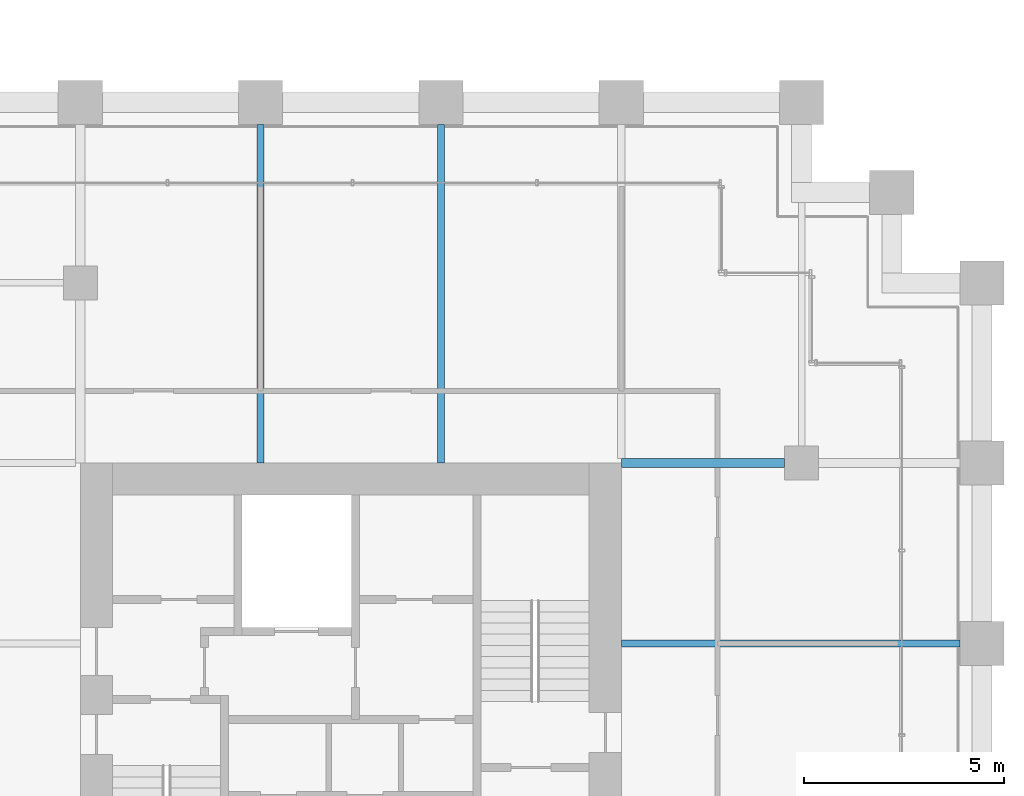
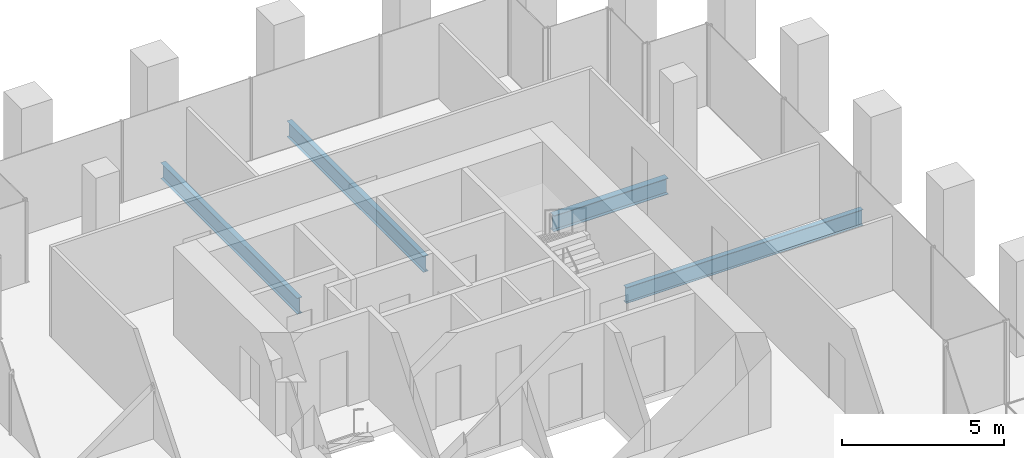
# One storey, part 43 of 54: 4 beams.
"""IFC4 building model written with IfcOpenShell, lengths in metres."""

import ifcopenshell
import ifcopenshell.guid

model = None  # the IFC model being written
_history = None  # IfcOwnerHistory: only IFC2X3 demands one
_inside = {}  # id of a spatial element -> (the spatial element, [elements in it])
_under = {}  # id of a project, library or spatial element -> (it, [spatial elements below it])
_declared = {}  # id of a project -> (the project, [libraries it declares])
_typed = {}  # id of a type object -> (the type object, [elements of that type])
_made_of = {}  # id of a material, layer set ... -> (it, [elements and type objects made of it])


def new_model(schema):
    """Start an empty IFC model of exactly this schema.

    Asked for "IFC4X3", IfcOpenShell would pick the latest addendum, in which some entities
    have other attributes; the version numbers below select the first issue.
    IFC2X3 requires an IfcOwnerHistory on every rooted entity: one is made here for all.
    """
    global model, _history
    if schema == "IFC4X3":
        model = ifcopenshell.file(schema_version=(4, 3, 0, 0))
    else:
        model = ifcopenshell.file(schema=schema)
    _inside.clear()
    _under.clear()
    _declared.clear()
    _typed.clear()
    _made_of.clear()
    _history = None
    if model.schema == "IFC2X3":
        org = make("IfcOrganization", Name="unknown")
        user = make(
            "IfcPersonAndOrganization",
            ThePerson=make("IfcPerson", FamilyName="unknown"),
            TheOrganization=org,
        )
        app = make(
            "IfcApplication",
            ApplicationDeveloper=org,
            Version="unknown",
            ApplicationFullName="unknown",
            ApplicationIdentifier="unknown",
        )
        _history = make(
            "IfcOwnerHistory",
            OwningUser=user,
            OwningApplication=app,
            ChangeAction="ADDED",
            CreationDate=0,
        )
    return model


def make(cls, **values):
    """One entity of the class cls with the attributes given. An attribute that is None is left unset."""
    return model.create_entity(
        cls, **{name: value for name, value in values.items() if value is not None}
    )


def rooted(cls, **values):
    """An entity with a GlobalId (a new one), such as an element, a storey or a relation."""
    return make(cls, GlobalId=ifcopenshell.guid.new(), OwnerHistory=_history, **values)


def si_unit(unit_type, name, prefix=None):
    """IfcSIUnit, for example si_unit("LENGTHUNIT", "METRE", prefix="MILLI")."""
    return make("IfcSIUnit", UnitType=unit_type, Prefix=prefix, Name=name)


def assignment(units):
    """IfcUnitAssignment: the units of a project."""
    return None if units is None else make("IfcUnitAssignment", Units=units)


def point(xyz):
    """IfcCartesianPoint."""
    return None if xyz is None else make("IfcCartesianPoint", Coordinates=xyz)


def direction(xyz):
    """IfcDirection."""
    return None if xyz is None else make("IfcDirection", DirectionRatios=xyz)


def frame(location, z_axis=None, x_axis=None):
    """IfcAxis2Placement3D, a coordinate frame: its origin and axes. An axis left out is left unset."""
    return make(
        "IfcAxis2Placement3D",
        Location=point(location),
        Axis=direction(z_axis),
        RefDirection=direction(x_axis),
    )


def frame_2d(location, x_axis=None):
    """IfcAxis2Placement2D, a coordinate frame in the plane: its origin and x axis."""
    return make(
        "IfcAxis2Placement2D", Location=point(location), RefDirection=direction(x_axis)
    )


def origin():
    """The frame at (0, 0, 0) with its axes left unset."""
    return frame((0.0, 0.0, 0.0))


def origin_2d():
    """The frame at (0, 0) in the plane with its x axis left unset."""
    return frame_2d((0.0, 0.0))


def place(relative_to, where):
    """IfcLocalPlacement: puts the frame where relative to a parent placement (None: the world)."""
    return make(
        "IfcLocalPlacement", PlacementRelTo=relative_to, RelativePlacement=where
    )


def context(
    kind, dimensions, precision=None, world=None, true_north=None, identifier=None
):
    """IfcGeometricRepresentationContext, for example the 3D "Model" context."""
    return make(
        "IfcGeometricRepresentationContext",
        ContextIdentifier=identifier,
        ContextType=kind,
        CoordinateSpaceDimension=dimensions,
        Precision=precision,
        WorldCoordinateSystem=world,
        TrueNorth=true_north,
    )


def subcontext(parent, identifier, kind, view, scale=None):
    """IfcGeometricRepresentationSubContext, for example "Body" below "Model"."""
    return make(
        "IfcGeometricRepresentationSubContext",
        ContextIdentifier=identifier,
        ContextType=kind,
        ParentContext=parent,
        TargetScale=scale,
        TargetView=view,
    )


def project(units=None, contexts=None):
    """IfcProject with its units and contexts."""
    return rooted(
        "IfcProject",
        Name="project",
        RepresentationContexts=contexts,
        UnitsInContext=assignment(units),
    )


def spatial(cls, under=None, at=None, **own):
    """A site, building, storey or space (cls), placed at a placement, below another one or the project."""
    s = rooted(cls, ObjectPlacement=at, **own)
    if under is not None:
        _under.setdefault(under.id(), (under, []))[1].append(s)
    return s


def profile(cls, at=None, kind="AREA", **sizes):
    """A parametric profile (cls). Its sizes go by their IFC names, for example OverallWidth=200.0."""
    return make(cls, ProfileType=kind, Position=at, **sizes)


def i_section(**sizes):
    """IfcIShapeProfileDef."""
    return profile("IfcIShapeProfileDef", **sizes)


def extrude(swept, where, along, depth):
    """IfcExtrudedAreaSolid: the profile swept, set in the frame where, extruded along a direction by depth."""
    return make(
        "IfcExtrudedAreaSolid",
        SweptArea=swept,
        Position=where,
        ExtrudedDirection=direction(along),
        Depth=depth,
    )


def shape(context_of_items, identifier, shape_type, items):
    """IfcShapeRepresentation: the items that make up one representation, for example the "Body"."""
    return make(
        "IfcShapeRepresentation",
        ContextOfItems=context_of_items,
        RepresentationIdentifier=identifier,
        RepresentationType=shape_type,
        Items=items,
    )


def material(Name=None, Category=None):
    """IfcMaterial."""
    return make("IfcMaterial", Name=Name, Category=Category)


def material_profile(
    of_material, cross_section, Name=None, Category=None, Priority=None
):
    """IfcMaterialProfile: a cross section and its material."""
    return make(
        "IfcMaterialProfile",
        Name=Name,
        Material=of_material,
        Profile=cross_section,
        Priority=Priority,
        Category=Category,
    )


def profile_set(profiles, Name=None, composite=None):
    """IfcMaterialProfileSet."""
    return make(
        "IfcMaterialProfileSet",
        Name=Name,
        MaterialProfiles=profiles,
        CompositeProfile=composite,
    )


def made_of(thing, what):
    """Note that an element or type object is made of a material, layer set ...; save() writes the relation."""
    if what is not None:
        _made_of.setdefault(what.id(), (what, []))[1].append(thing)
    return thing


def type_object(cls, material=None, **own):
    """A type object (cls), such as IfcWallType, which elements share."""
    return made_of(rooted(cls, **own), material)


def element(
    cls,
    number,
    at=None,
    inside=None,
    cuts=None,
    type_object=None,
    material=None,
    context=None,
    identifier="Body",
    shape_type=None,
    held_by="IfcProductDefinitionShape",
    body=None,
    shapes=None,
    **own,
):
    """One element of the class cls, such as IfcWall. Its Tag is "e" and its number.

    at: its placement. inside: the storey or other place that contains it. cuts: it is an
    opening in that element (IfcRelVoidsElement). A single representation is given by context,
    identifier, shape_type and body (its items); several are given by shapes. held_by: the class
    of the entity that holds the representations. save() writes the other relations.
    """
    e = rooted(cls, Tag="e%d" % number, ObjectPlacement=at, **own)
    if body is not None:
        shapes = [shape(context, identifier, shape_type, body)]
    if shapes is not None:
        e.Representation = make(held_by, Representations=shapes)
    if inside is not None:
        _inside.setdefault(inside.id(), (inside, []))[1].append(e)
    if cuts is not None:
        rooted(
            "IfcRelVoidsElement", RelatingBuildingElement=cuts, RelatedOpeningElement=e
        )
    if type_object is not None:
        _typed.setdefault(type_object.id(), (type_object, []))[1].append(e)
    return made_of(e, material)


def aggregate(whole, parts):
    """IfcRelAggregates: a whole, such as a stair, and the parts it consists of."""
    return rooted("IfcRelAggregates", RelatingObject=whole, RelatedObjects=parts)


def save(model, path):
    """Write the relations noted so far, then the file.

    IfcRelAggregates (storeys below a building ...), IfcRelContainedInSpatialStructure (elements
    in a storey), IfcRelDefinesByType, IfcRelAssociatesMaterial and IfcRelDeclares: one each for
    every whole, place, type object, material and project.
    """
    for whole, parts in _under.values():
        aggregate(whole, parts)
    for where, things in _inside.values():
        rooted(
            "IfcRelContainedInSpatialStructure",
            RelatedElements=things,
            RelatingStructure=where,
        )
    for kind, things in _typed.values():
        rooted("IfcRelDefinesByType", RelatedObjects=things, RelatingType=kind)
    for what, things in _made_of.values():
        rooted("IfcRelAssociatesMaterial", RelatedObjects=things, RelatingMaterial=what)
    for by, libraries in _declared.values():
        rooted("IfcRelDeclares", RelatingContext=by, RelatedDefinitions=libraries)
    model.write(path)


model = new_model("IFC4")

# Units and contexts
model_context = context("Model", 3, precision=1e-05, world=origin(), true_north=direction((0.0, 1.0)))
body_context = subcontext(model_context, "Body", "Model", "MODEL_VIEW")
ifc_project = project(units=[si_unit("LENGTHUNIT", "METRE"), si_unit("AREAUNIT", "SQUARE_METRE"), si_unit("VOLUMEUNIT", "CUBIC_METRE"), si_unit("PLANEANGLEUNIT", "RADIAN"), si_unit("MASSUNIT", "GRAM", prefix="KILO")], contexts=[model_context])

# Site, building, storey
site_placement = place(None, origin())
site = spatial("IfcSite", under=ifc_project, at=site_placement, CompositionType="ELEMENT")
building_placement = place(site_placement, origin())
building = spatial("IfcBuilding", under=site, at=building_placement, Name="Altepetl Exchange Towers", CompositionType="ELEMENT")
storey_placement = place(building_placement, frame((0.0, 0.0, 58.199951171875)))
storey = spatial("IfcBuildingStorey", under=building, at=storey_placement, Name="L13", CompositionType="ELEMENT", Elevation=58.199951171875)

# Beams
ifc_material = material(Name="Steel S355", Category="steel")
ifc_material_profile_1 = material_profile(ifc_material, i_section(OverallWidth=0.177978515625, OverallDepth=0.59912109375, WebThickness=0.010009765625, FlangeThickness=0.0126953125, at=origin_2d()), Name="W24X55")
ifc_profile_set_1 = profile_set([ifc_material_profile_1], Name="Steel S355")
beam_type_1 = type_object("IfcBeamType", Name="Floor beam W24X55", PredefinedType="BEAM", material=ifc_profile_set_1)
for number, where, z_axis, x_axis, name in (
    (1, (108.0, 49.5, -0.449462890625), (0.0, 1.0, 0.0), (-1.0, 0.0, 0.0), "bm:B:L13:000"),
    (2, (112.5, 49.5, -0.449462890625), (0.0, 1.0, 0.0), (-1.0, 0.0, 0.0), "bm:B:L13:001"),
    (3, (117.0, 45.0, -0.449462890625), (1.0, 0.0, 0.0), (0.0, 1.0, 0.0), "bm:B:L13:007"),
):
    element("IfcBeam", number, at=place(storey_placement, frame(where, z_axis=z_axis, x_axis=x_axis)), inside=storey, type_object=beam_type_1, Name=name, PredefinedType="BEAM", context=body_context, shape_type="SweptSolid", body=[
        extrude(i_section(OverallWidth=0.177978515625, OverallDepth=0.59912109375, WebThickness=0.010009765625, FlangeThickness=0.0126953125, at=origin_2d()), origin(), (0.0, 0.0, 1.0), 8.449951171875),
    ])
ifc_material_profile_2 = material_profile(ifc_material, i_section(OverallWidth=0.22802734375, OverallDepth=0.60791015625, WebThickness=0.01123046875, FlangeThickness=0.017333984375, at=origin_2d()), Name="W24X76")
ifc_profile_set_2 = profile_set([ifc_material_profile_2], Name="Steel S355")
beam_type_2 = type_object("IfcBeamType", Name="Girder W24X76", PredefinedType="BEAM", material=ifc_profile_set_2)
beam_placement = place(storey_placement, frame((117.0, 49.5, -0.453857421875), z_axis=(1.0, 0.0, 0.0), x_axis=(0.0, 1.0, 0.0)))
element("IfcBeam", 4, at=beam_placement, inside=storey, type_object=beam_type_2, Name="gd:B:L13:000", PredefinedType="BEAM", context=body_context, shape_type="SweptSolid", body=[
    extrude(i_section(OverallWidth=0.22802734375, OverallDepth=0.60791015625, WebThickness=0.01123046875, FlangeThickness=0.017333984375, at=origin_2d()), origin(), (0.0, 0.0, 1.0), 4.074951171875),
])

save(model, "model.ifc")
